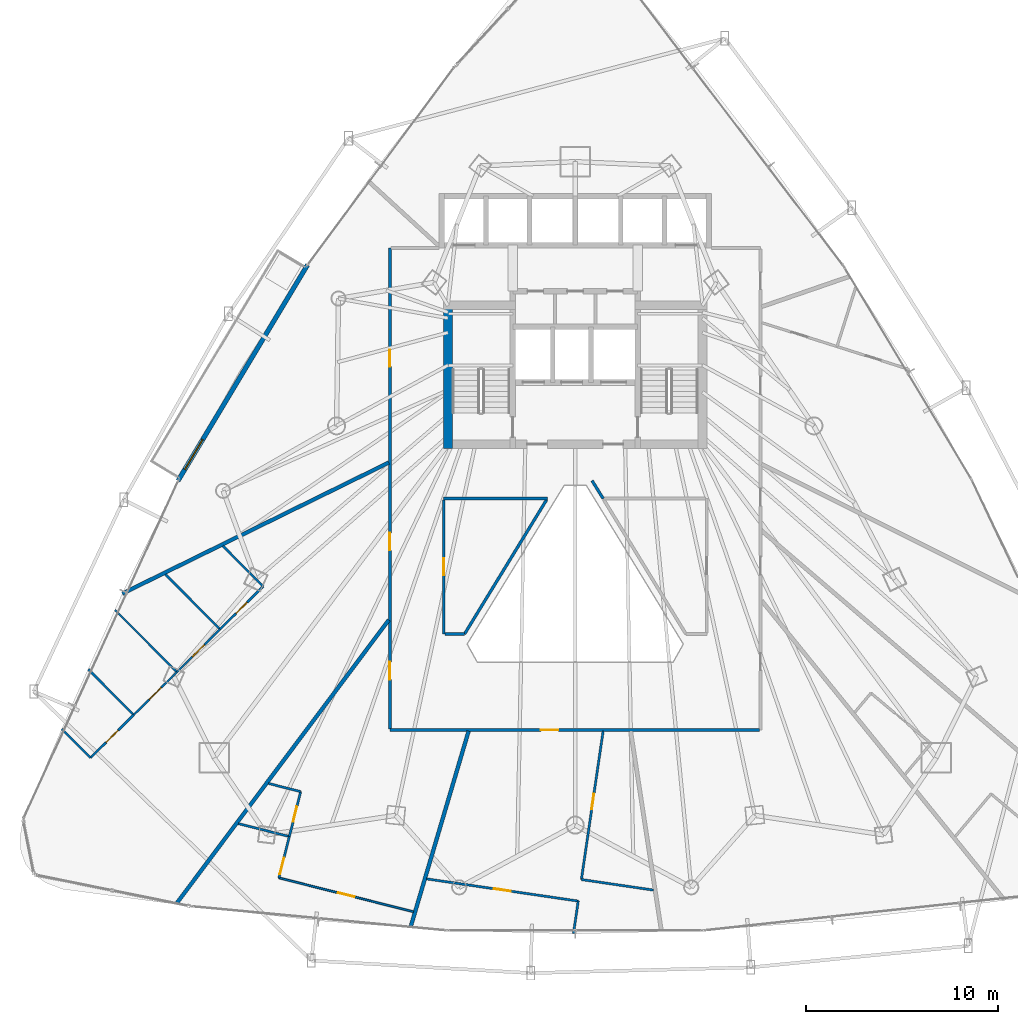
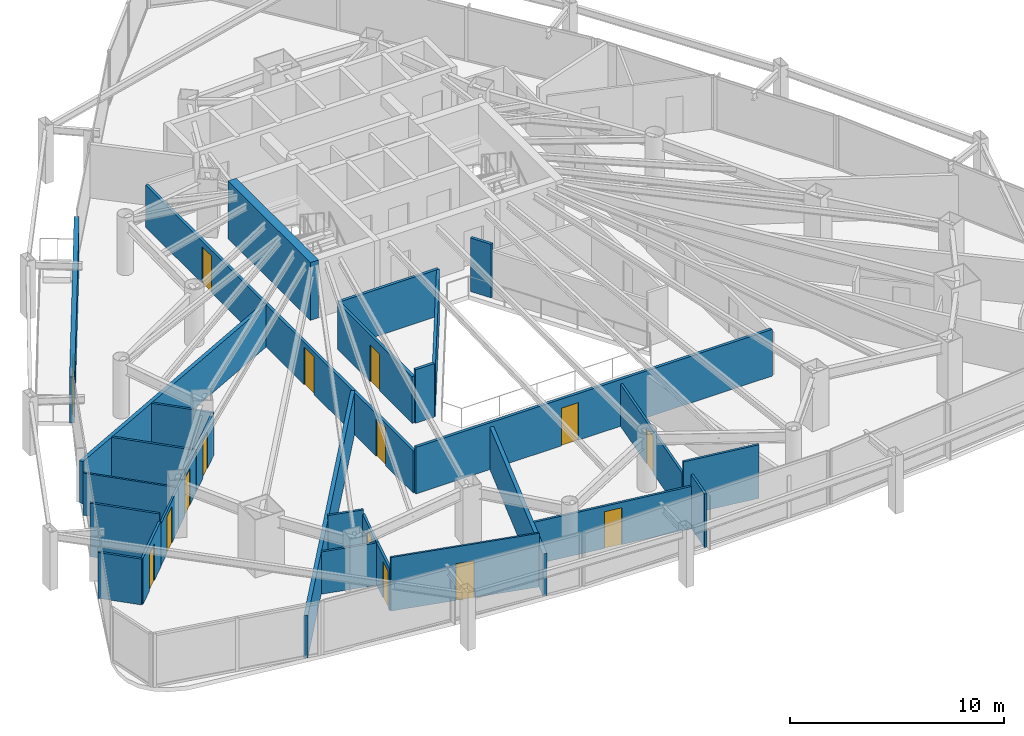
# One storey, part 29 of 35: 30 walls, 15 doors, 15 openings.
"""IFC4 building model written with IfcOpenShell, lengths in metres."""

from ifc_helpers import new_model, si_unit, direction, frame, frame_2d, origin, place, context, subcontext, project, spatial, rectangle, extrude, material, layer, layer_set, type_object, element, fill, save


model = new_model("IFC4")

# Units and contexts
model_context = context("Model", 3, precision=1e-05, world=origin(), true_north=direction((0.0, 1.0)))
body_context = subcontext(model_context, "Body", "Model", "MODEL_VIEW")
ifc_project = project(units=[si_unit("LENGTHUNIT", "METRE"), si_unit("AREAUNIT", "SQUARE_METRE"), si_unit("VOLUMEUNIT", "CUBIC_METRE"), si_unit("PLANEANGLEUNIT", "RADIAN"), si_unit("MASSUNIT", "GRAM", prefix="KILO")], contexts=[model_context])

# Site, building, storey
site_placement = place(None, origin())
site = spatial("IfcSite", under=ifc_project, at=site_placement, CompositionType="ELEMENT")
building_placement = place(site_placement, origin())
building = spatial("IfcBuilding", under=site, at=building_placement, Name="Orvanel Arch Residences", CompositionType="ELEMENT")
storey_placement = place(building_placement, frame((0.0, 0.0, 36.800048828125)))
storey = spatial("IfcBuildingStorey", under=building, at=storey_placement, Name="L09", CompositionType="ELEMENT", Elevation=36.800048828125)

# Wall, opening, door
ifc_material_1 = material(Name="Precast concrete N50 (50 MPa)", Category="concrete")
ifc_layer_1 = layer(ifc_material_1, 0.239990234375)
ifc_layer_set_1 = layer_set([ifc_layer_1], Name="Precast concrete N50 (50 MPa)")
wall_type_1 = type_object("IfcWallType", Name="EW-BAL-240", PredefinedType="SOLIDWALL", material=ifc_layer_set_1)
wall_1_placement = place(storey_placement, frame((19.05908203125, 36.028076171875, 0.0), z_axis=(0.0, 0.0, 1.0), x_axis=(-0.514331531946, -0.857591438417, 0.0)))
wall_1 = element("IfcWall", 1, at=wall_1_placement, inside=storey, type_object=wall_type_1, Name="L09 Balcony Threshold Wall Face 1", PredefinedType="SOLIDWALL", context=body_context, shape_type="SweptSolid", body=[
    extrude(rectangle(XDim=13.1181640625, YDim=0.239990234375, at=frame_2d((6.55908203125, 0.0))), origin(), (0.0, 0.0, 1.0), 2.6240234375),
])
opening_1_placement = place(wall_1_placement, frame((10.6201171875, 0.0, 0.0)))
opening_1 = element("IfcOpeningElement", 2, at=opening_1_placement, cuts=wall_1, Name="Opening DB-180", PredefinedType="OPENING", context=body_context, shape_type="SweptSolid", body=[
    extrude(rectangle(XDim=1.800048828125, YDim=2.199951171875, at=frame_2d((0.89990234375, 1.10009765625))), frame((0.0, 0.1298828125, 0.0), z_axis=(0.0, -1.0, 0.0), x_axis=(1.0, 0.0, 0.0)), (0.0, 0.0, 1.0), 0.260009765625),
])
ifc_material_2 = material(Name="Bronze-anodised aluminium AA6063-T6", Category="aluminium")
door_type_1 = type_object("IfcDoorType", Name="DR-BAL-1800", OperationType="NOTDEFINED", PredefinedType="DOOR", material=ifc_material_2)
door_1_placement = place(opening_1_placement, origin())
door_1 = element("IfcDoor", 3, at=door_1_placement, inside=storey, type_object=door_type_1, Name="DR-L09-BAL-F1 L09 Planted Balcony Access Door Face 1", OperationType="SINGLE_SWING_LEFT", OverallHeight=2.199951171875, OverallWidth=1.800048828125, PredefinedType="DOOR", context=body_context, shape_type="SweptSolid", body=[
    extrude(rectangle(XDim=1.800048828125, YDim=2.199951171875, at=frame_2d((0.89990234375, 1.10009765625))), frame((0.0, 0.02490234375, 0.0), z_axis=(0.0, -1.0, 0.0), x_axis=(1.0, 0.0, 0.0)), (0.0, 0.0, 1.0), 0.050048828125),
])
fill(opening_1, door_1)

# Wall
ifc_material_3 = material(Name="Concrete S80 (80 MPa)", Category="concrete")
ifc_layer_2 = layer(ifc_material_3, 0.449951171875)
ifc_layer_set_2 = layer_set([ifc_layer_2], Name="Concrete S80 (80 MPa)")
wall_type_2 = type_object("IfcWallType", Name="SW-CORE-450", PredefinedType="SHEAR", material=ifc_layer_set_2)
wall_2_placement = place(storey_placement, frame((26.375, 26.449951171875, 0.0), z_axis=(0.0, 0.0, 1.0), x_axis=(0.0, 1.0, 0.0)))
element("IfcWall", 4, at=wall_2_placement, inside=storey, type_object=wall_type_2, Name="L09 West Stair Shear Wall", PredefinedType="SHEAR", context=body_context, shape_type="SweptSolid", body=[
    extrude(rectangle(XDim=7.699951171875, YDim=0.449951171875, at=frame_2d((3.85009765625, 0.0))), origin(), (0.0, 0.0, 1.0), 3.300048828125),
])

# Wall, opening, door
ifc_material_4 = material(Name="Fire-rated plasterboard lined steel stud partition", Category="steel")
ifc_layer_3 = layer(ifc_material_4, 0.14990234375)
ifc_layer_set_3 = layer_set([ifc_layer_3], Name="Fire-rated plasterboard lined steel stud partition")
wall_type_3 = type_object("IfcWallType", Name="W-COR-150", PredefinedType="PARTITIONING", material=ifc_layer_set_3)
wall_3_placement = place(storey_placement, frame((42.590087890625, 11.800048828125, 0.0), z_axis=(0.0, 0.0, 1.0), x_axis=(-1.0, 0.0, 0.0)))
wall_3 = element("IfcWall", 5, at=wall_3_placement, inside=storey, type_object=wall_type_3, Name="L09 Corridor Fire-Rated Partition", PredefinedType="PARTITIONING", context=body_context, shape_type="SweptSolid", body=[
    extrude(rectangle(XDim=19.239990234375, YDim=0.14990234375, at=frame_2d((9.6201171875, 0.0))), origin(), (0.0, 0.0, 1.0), 2.6689453125),
])
opening_2_placement = place(wall_3_placement, frame((10.4619140625, 0.0, 0.0)))
opening_2 = element("IfcOpeningElement", 6, at=opening_2_placement, cuts=wall_3, Name="Opening DA-092", PredefinedType="OPENING", context=body_context, shape_type="SweptSolid", body=[
    extrude(rectangle(XDim=0.919921875, YDim=2.14990234375, at=frame_2d((0.4599609375, 1.074951171875))), frame((0.0, 0.0849609375, 0.0), z_axis=(0.0, -1.0, 0.0), x_axis=(1.0, 0.0, 0.0)), (0.0, 0.0, 1.0), 0.169921875),
])
ifc_material_5 = material(Name="Solid-core European oak veneer fire door leaf", Category="wood")
door_type_2 = type_object("IfcDoorType", Name="DR-APT-920", OperationType="NOTDEFINED", PredefinedType="DOOR", material=ifc_material_5)
door_2_placement = place(opening_2_placement, origin())
door_2 = element("IfcDoor", 7, at=door_2_placement, inside=storey, type_object=door_type_2, Name="DR-L09-F-ENT L09 Studio F Entrance Door", OperationType="SINGLE_SWING_LEFT", OverallHeight=2.14990234375, OverallWidth=0.919921875, PredefinedType="DOOR", context=body_context, shape_type="SweptSolid", body=[
    extrude(rectangle(XDim=0.919921875, YDim=2.14990234375, at=frame_2d((0.4599609375, 1.074951171875))), frame((0.0, 0.02490234375, 0.0), z_axis=(0.0, -1.0, 0.0), x_axis=(1.0, 0.0, 0.0)), (0.0, 0.0, 1.0), 0.050048828125),
])
fill(opening_2, door_2)

# Wall, openings, doors
wall_4_placement = place(storey_placement, frame((23.35009765625, 11.860107421875, 0.0), z_axis=(0.0, 0.0, 1.0), x_axis=(0.0, 1.0, 0.0)))
wall_4 = element("IfcWall", 8, at=wall_4_placement, inside=storey, type_object=wall_type_3, Name="L09 Corridor Fire-Rated Partition", PredefinedType="PARTITIONING", context=body_context, shape_type="SweptSolid", body=[
    extrude(rectangle(XDim=25.039794921875, YDim=0.14990234375, at=frame_2d((12.52001953125, 0.0))), origin(), (0.0, 0.0, 1.0), 2.412841796875),
])
opening_3_placement = place(wall_4_placement, frame((9.2900390625, 0.0, 0.0)))
opening_3 = element("IfcOpeningElement", 9, at=opening_3_placement, cuts=wall_4, Name="Opening DA-092", PredefinedType="OPENING", context=body_context, shape_type="SweptSolid", body=[
    extrude(rectangle(XDim=0.919921875, YDim=2.14990234375, at=frame_2d((0.4599609375, 1.074951171875))), frame((0.0, 0.0849609375, 0.0), z_axis=(0.0, -1.0, 0.0), x_axis=(1.0, 0.0, 0.0)), (0.0, 0.0, 1.0), 0.169921875),
])
opening_4_placement = place(wall_4_placement, frame((18.864990234375, 0.0, 0.0)))
opening_4 = element("IfcOpeningElement", 10, at=opening_4_placement, cuts=wall_4, Name="Opening DI-088", PredefinedType="OPENING", context=body_context, shape_type="SweptSolid", body=[
    extrude(rectangle(XDim=0.8798828125, YDim=2.10009765625, at=frame_2d((0.43994140625, 1.050048828125))), frame((0.0, 0.0849609375, 0.0), z_axis=(0.0, -1.0, 0.0), x_axis=(1.0, 0.0, 0.0)), (0.0, 0.0, 1.0), 0.169921875),
])
opening_5_placement = place(wall_4_placement, frame((2.56591796875, 0.0, 0.0)))
opening_5 = element("IfcOpeningElement", 11, at=opening_5_placement, cuts=wall_4, Name="Opening DA-092", PredefinedType="OPENING", context=body_context, shape_type="SweptSolid", body=[
    extrude(rectangle(XDim=0.919921875, YDim=2.14990234375, at=frame_2d((0.4599609375, 1.074951171875))), frame((0.0, 0.0849609375, 0.0), z_axis=(0.0, -1.0, 0.0), x_axis=(1.0, 0.0, 0.0)), (0.0, 0.0, 1.0), 0.169921875),
])
door_3_placement = place(opening_3_placement, origin())
door_3 = element("IfcDoor", 12, at=door_3_placement, inside=storey, type_object=door_type_2, Name="DR-L09-A-ENT L09 Flat A Entrance Door", OperationType="SINGLE_SWING_RIGHT", OverallHeight=2.14990234375, OverallWidth=0.919921875, PredefinedType="DOOR", context=body_context, shape_type="SweptSolid", body=[
    extrude(rectangle(XDim=0.919921875, YDim=2.14990234375, at=frame_2d((0.4599609375, 1.074951171875))), frame((0.0, 0.02490234375, 0.0), z_axis=(0.0, -1.0, 0.0), x_axis=(1.0, 0.0, 0.0)), (0.0, 0.0, 1.0), 0.050048828125),
])
fill(opening_3, door_3)
door_4_placement = place(opening_5_placement, origin())
door_4 = element("IfcDoor", 13, at=door_4_placement, inside=storey, type_object=door_type_2, Name="DR-L09-E-ENT L09 Flat E Entrance Door", OperationType="SINGLE_SWING_RIGHT", OverallHeight=2.14990234375, OverallWidth=0.919921875, PredefinedType="DOOR", context=body_context, shape_type="SweptSolid", body=[
    extrude(rectangle(XDim=0.919921875, YDim=2.14990234375, at=frame_2d((0.4599609375, 1.074951171875))), frame((0.0, 0.02490234375, 0.0), z_axis=(0.0, -1.0, 0.0), x_axis=(1.0, 0.0, 0.0)), (0.0, 0.0, 1.0), 0.050048828125),
])
fill(opening_5, door_4)
door_type_3 = type_object("IfcDoorType", Name="DR-INT-880", OperationType="NOTDEFINED", PredefinedType="DOOR", material=ifc_material_5)
door_5_placement = place(opening_4_placement, origin())
door_5 = element("IfcDoor", 14, at=door_5_placement, inside=storey, type_object=door_type_3, Name="DR-L09-SHRD-FB4 L09 Co-Working Study Office D Door", OperationType="SINGLE_SWING_LEFT", OverallHeight=2.10009765625, OverallWidth=0.8798828125, PredefinedType="DOOR", context=body_context, shape_type="SweptSolid", body=[
    extrude(rectangle(XDim=0.8798828125, YDim=2.10009765625, at=frame_2d((0.43994140625, 1.050048828125))), frame((0.0, 0.02490234375, 0.0), z_axis=(0.0, -1.0, 0.0), x_axis=(1.0, 0.0, 0.0)), (0.0, 0.0, 1.0), 0.050048828125),
])
fill(opening_4, door_5)

# Wall
wall_5_placement = place(storey_placement, frame((31.544921875, 23.85009765625, 0.0), z_axis=(0.0, 0.0, 1.0), x_axis=(-1.0, 0.0, 0.0)))
element("IfcWall", 15, at=wall_5_placement, inside=storey, type_object=wall_type_3, Name="L09 Corridor Fire-Rated Partition", PredefinedType="PARTITIONING", context=body_context, shape_type="SweptSolid", body=[
    extrude(rectangle(XDim=5.39501953125, YDim=0.14990234375, at=frame_2d((2.697509765625, 0.0))), origin(), (0.0, 0.0, 1.0), 2.6689453125),
])

# Wall, opening, door
wall_6_placement = place(storey_placement, frame((26.14990234375, 23.7900390625, 0.0), z_axis=(0.0, 0.0, 1.0), x_axis=(0.0, -1.0, 0.0)))
wall_6 = element("IfcWall", 16, at=wall_6_placement, inside=storey, type_object=wall_type_3, Name="L09 Corridor Fire-Rated Partition", PredefinedType="PARTITIONING", context=body_context, shape_type="SweptSolid", body=[
    extrude(rectangle(XDim=6.989990234375, YDim=0.14990234375, at=frame_2d((3.4951171875, 0.0))), origin(), (0.0, 0.0, 1.0), 2.6689453125),
])
opening_6_placement = place(wall_6_placement, frame((3.054931640625, 0.0, 0.0)))
opening_6 = element("IfcOpeningElement", 17, at=opening_6_placement, cuts=wall_6, Name="Opening DI-088", PredefinedType="OPENING", context=body_context, shape_type="SweptSolid", body=[
    extrude(rectangle(XDim=0.8798828125, YDim=2.10009765625, at=frame_2d((0.43994140625, 1.050048828125))), frame((0.0, 0.0849609375, 0.0), z_axis=(0.0, -1.0, 0.0), x_axis=(1.0, 0.0, 0.0)), (0.0, 0.0, 1.0), 0.169921875),
])
door_6_placement = place(opening_6_placement, origin())
door_6 = element("IfcDoor", 18, at=door_6_placement, inside=storey, type_object=door_type_3, Name="DR-L09-SHRD-FB10 L09 Co-Working Study Office J Door", OperationType="SINGLE_SWING_LEFT", OverallHeight=2.10009765625, OverallWidth=0.8798828125, PredefinedType="DOOR", context=body_context, shape_type="SweptSolid", body=[
    extrude(rectangle(XDim=0.8798828125, YDim=2.10009765625, at=frame_2d((0.43994140625, 1.050048828125))), frame((0.0, 0.02490234375, 0.0), z_axis=(0.0, -1.0, 0.0), x_axis=(1.0, 0.0, 0.0)), (0.0, 0.0, 1.0), 0.050048828125),
])
fill(opening_6, door_6)

# Walls
wall_7_placement = place(storey_placement, frame((26.2099609375, 16.800048828125, 0.0), z_axis=(0.0, 0.0, 1.0), x_axis=(1.0, 0.0, 0.0)))
element("IfcWall", 19, at=wall_7_placement, inside=storey, type_object=wall_type_3, Name="L09 Corridor Fire-Rated Partition", PredefinedType="PARTITIONING", context=body_context, shape_type="SweptSolid", body=[
    extrude(rectangle(XDim=1.026123046875, YDim=0.14990234375, at=frame_2d((0.51318359375, 0.0))), origin(), (0.0, 0.0, 1.0), 3.06005859375),
])
wall_8_placement = place(storey_placement, frame((34.455078125, 23.85009765625, 0.0), z_axis=(0.0, 0.0, 1.0), x_axis=(-0.525973516201, 0.850500946652, 0.0)))
element("IfcWall", 20, at=wall_8_placement, inside=storey, type_object=wall_type_3, Name="L09 Corridor Fire-Rated Partition", PredefinedType="PARTITIONING", context=body_context, shape_type="SweptSolid", body=[
    extrude(rectangle(XDim=1.102783203125, YDim=0.14990234375, at=frame_2d((0.55126953125, 0.0))), origin(), (0.0, 0.0, 1.0), 3.06005859375),
])
wall_9_placement = place(storey_placement, frame((27.236083984375, 16.801025390625, 0.0), z_axis=(0.0, 0.0, 1.0), x_axis=(0.521617567684, 0.853179414358, 0.0)))
element("IfcWall", 21, at=wall_9_placement, inside=storey, type_object=wall_type_3, Name="L09 Atrium Overlook Glazed Partition", PredefinedType="PARTITIONING", context=body_context, shape_type="SweptSolid", body=[
    extrude(rectangle(XDim=8.191650390625, YDim=0.14990234375, at=frame_2d((4.095703125, 0.0))), origin(), (0.0, 0.0, 1.0), 2.6689453125),
])
ifc_layer_4 = layer(ifc_material_4, 0.199951171875)
ifc_layer_set_4 = layer_set([ifc_layer_4], Name="Fire-rated plasterboard lined steel stud partition")
wall_type_4 = type_object("IfcWallType", Name="W-DEM-200", PredefinedType="PARTITIONING", material=ifc_layer_set_4)
wall_10_placement = place(storey_placement, frame((9.409912109375, 18.90087890625, 0.0), z_axis=(0.0, 0.0, 1.0), x_axis=(0.89737804177, 0.44126256373, 0.0)))
element("IfcWall", 22, at=wall_10_placement, inside=storey, type_object=wall_type_4, Name="L09 Inter-Tenancy Acoustic Demising Wall", PredefinedType="PARTITIONING", context=body_context, shape_type="SweptSolid", body=[
    extrude(rectangle(XDim=15.467529296875, YDim=0.199951171875, at=frame_2d((7.73388671875, 0.0))), origin(), (0.0, 0.0, 1.0), 2.412841796875),
])
wall_11_placement = place(storey_placement, frame((23.2900390625, 17.531005859375, 0.0), z_axis=(0.0, 0.0, 1.0), x_axis=(-0.599334217596, -0.800498904196, 0.0)))
element("IfcWall", 23, at=wall_11_placement, inside=storey, type_object=wall_type_4, Name="L09 Inter-Tenancy Acoustic Demising Wall", PredefinedType="PARTITIONING", context=body_context, shape_type="SweptSolid", body=[
    extrude(rectangle(XDim=18.4873046875, YDim=0.199951171875, at=frame_2d((9.24365234375, 0.0))), origin(), (0.0, 0.0, 1.0), 2.412841796875),
])
wall_12_placement = place(storey_placement, frame((27.447021484375, 11.739990234375, 0.0), z_axis=(0.0, 0.0, 1.0), x_axis=(-0.283867721737, -0.958863450422, 0.0)))
element("IfcWall", 24, at=wall_12_placement, inside=storey, type_object=wall_type_4, Name="L09 Inter-Tenancy Acoustic Demising Wall", PredefinedType="PARTITIONING", context=body_context, shape_type="SweptSolid", body=[
    extrude(rectangle(XDim=10.663818359375, YDim=0.199951171875, at=frame_2d((5.33203125, 0.0))), origin(), (0.0, 0.0, 1.0), 2.412841796875),
])

# Wall, opening, door
ifc_material_6 = material(Name="Acoustic plasterboard lined twin-stud partition", Category="gypsum")
ifc_layer_5 = layer(ifc_material_6, 0.10009765625)
ifc_layer_set_5 = layer_set([ifc_layer_5], Name="Acoustic plasterboard lined twin-stud partition")
wall_type_5 = type_object("IfcWallType", Name="W-INT-100", PredefinedType="PARTITIONING", material=ifc_layer_set_5)
wall_13_placement = place(storey_placement, frame((10.0009765625, 12.5810546875, 0.0), z_axis=(0.0, 0.0, 1.0), x_axis=(0.70979961262, 0.70440365553, 0.0)))
wall_13 = element("IfcWall", 25, at=wall_13_placement, inside=storey, type_object=wall_type_5, Name="L09 Flat A Internal Partition", PredefinedType="PARTITIONING", context=body_context, shape_type="SweptSolid", body=[
    extrude(rectangle(XDim=3.167236328125, YDim=0.10009765625, at=frame_2d((1.58349609375, 0.0))), origin(), (0.0, 0.0, 1.0), 2.412841796875),
])
opening_7_placement = place(wall_13_placement, frame((1.14404296875, 0.0, 0.0)))
opening_7 = element("IfcOpeningElement", 26, at=opening_7_placement, cuts=wall_13, Name="Opening DI-088", PredefinedType="OPENING", context=body_context, shape_type="SweptSolid", body=[
    extrude(rectangle(XDim=0.8798828125, YDim=2.10009765625, at=frame_2d((0.43994140625, 1.050048828125))), frame((0.0, 0.06005859375, 0.0), z_axis=(0.0, -1.0, 0.0), x_axis=(1.0, 0.0, 0.0)), (0.0, 0.0, 1.0), 0.1201171875),
])
door_7_placement = place(opening_7_placement, origin())
door_7 = element("IfcDoor", 27, at=door_7_placement, inside=storey, type_object=door_type_3, Name="DR-L09-A-BED1 L09 Flat A Bedroom 1 Door", OperationType="SINGLE_SWING_LEFT", OverallHeight=2.10009765625, OverallWidth=0.8798828125, PredefinedType="DOOR", context=body_context, shape_type="SweptSolid", body=[
    extrude(rectangle(XDim=0.8798828125, YDim=2.10009765625, at=frame_2d((0.43994140625, 1.050048828125))), frame((0.0, 0.02490234375, 0.0), z_axis=(0.0, -1.0, 0.0), x_axis=(1.0, 0.0, 0.0)), (0.0, 0.0, 1.0), 0.050048828125),
])
fill(opening_7, door_7)

wall_14_placement = place(storey_placement, frame((12.2490234375, 14.81201171875, 0.0), z_axis=(0.0, 0.0, 1.0), x_axis=(0.70979961262, 0.70440365553, 0.0)))
wall_14 = element("IfcWall", 28, at=wall_14_placement, inside=storey, type_object=wall_type_5, Name="L09 Flat A Internal Partition", PredefinedType="PARTITIONING", context=body_context, shape_type="SweptSolid", body=[
    extrude(rectangle(XDim=3.167236328125, YDim=0.10009765625, at=frame_2d((1.58349609375, 0.0))), origin(), (0.0, 0.0, 1.0), 2.412841796875),
])
opening_8_placement = place(wall_14_placement, frame((1.14404296875, 0.0, 0.0)))
opening_8 = element("IfcOpeningElement", 29, at=opening_8_placement, cuts=wall_14, Name="Opening DI-088", PredefinedType="OPENING", context=body_context, shape_type="SweptSolid", body=[
    extrude(rectangle(XDim=0.8798828125, YDim=2.10009765625, at=frame_2d((0.43994140625, 1.050048828125))), frame((0.0, 0.06005859375, 0.0), z_axis=(0.0, -1.0, 0.0), x_axis=(1.0, 0.0, 0.0)), (0.0, 0.0, 1.0), 0.1201171875),
])
door_8_placement = place(opening_8_placement, origin())
door_8 = element("IfcDoor", 30, at=door_8_placement, inside=storey, type_object=door_type_3, Name="DR-L09-A-OFC2 L09 Flat A Home Work Office 1 Door", OperationType="SINGLE_SWING_LEFT", OverallHeight=2.10009765625, OverallWidth=0.8798828125, PredefinedType="DOOR", context=body_context, shape_type="SweptSolid", body=[
    extrude(rectangle(XDim=0.8798828125, YDim=2.10009765625, at=frame_2d((0.43994140625, 1.050048828125))), frame((0.0, 0.02490234375, 0.0), z_axis=(0.0, -1.0, 0.0), x_axis=(1.0, 0.0, 0.0)), (0.0, 0.0, 1.0), 0.050048828125),
])
fill(opening_8, door_8)

# Wall
wall_15_placement = place(storey_placement, frame((9.032958984375, 18.052978515625, 0.0), z_axis=(0.0, 0.0, 1.0), x_axis=(0.704374497722, -0.709828547579, 0.0)))
element("IfcWall", 31, at=wall_15_placement, inside=storey, type_object=wall_type_5, Name="L09 Flat A Internal Partition", PredefinedType="PARTITIONING", context=body_context, shape_type="SweptSolid", body=[
    extrude(rectangle(XDim=4.56591796875, YDim=0.10009765625, at=frame_2d((2.282958984375, 0.0))), origin(), (0.0, 0.0, 1.0), 2.412841796875),
])

# Wall, opening, door
wall_16_placement = place(storey_placement, frame((24.573974609375, 2.333984375, 0.0), z_axis=(0.0, 0.0, 1.0), x_axis=(-0.9698235368, 0.243807931512, 0.0)))
wall_16 = element("IfcWall", 32, at=wall_16_placement, inside=storey, type_object=wall_type_5, Name="L09 Flat E Internal Partition", PredefinedType="PARTITIONING", context=body_context, shape_type="SweptSolid", body=[
    extrude(rectangle(XDim=7.222900390625, YDim=0.10009765625, at=frame_2d((3.611328125, 0.0))), origin(), (0.0, 0.0, 1.0), 3.06005859375),
])
opening_9_placement = place(wall_16_placement, frame((3.1708984375, 0.0, 0.0)))
opening_9 = element("IfcOpeningElement", 33, at=opening_9_placement, cuts=wall_16, Name="Opening DI-088", PredefinedType="OPENING", context=body_context, shape_type="SweptSolid", body=[
    extrude(rectangle(XDim=0.8798828125, YDim=2.10009765625, at=frame_2d((0.43994140625, 1.050048828125))), frame((0.0, 0.06005859375, 0.0), z_axis=(0.0, -1.0, 0.0), x_axis=(1.0, 0.0, 0.0)), (0.0, 0.0, 1.0), 0.1201171875),
])
door_9_placement = place(opening_9_placement, origin())
door_9 = element("IfcDoor", 34, at=door_9_placement, inside=storey, type_object=door_type_3, Name="DR-L09-E-BED1 L09 Flat E Bedroom 1 Door", OperationType="SINGLE_SWING_LEFT", OverallHeight=2.10009765625, OverallWidth=0.8798828125, PredefinedType="DOOR", context=body_context, shape_type="SweptSolid", body=[
    extrude(rectangle(XDim=0.8798828125, YDim=2.10009765625, at=frame_2d((0.43994140625, 1.050048828125))), frame((0.0, 0.02490234375, 0.0), z_axis=(0.0, -1.0, 0.0), x_axis=(1.0, 0.0, 0.0)), (0.0, 0.0, 1.0), 0.050048828125),
])
fill(opening_9, door_9)

ifc_layer_6 = layer(ifc_material_6, 0.1201171875)
ifc_layer_set_6 = layer_set([ifc_layer_6], Name="Acoustic plasterboard lined twin-stud partition")
wall_type_6 = type_object("IfcWallType", Name="W-WET-120", PredefinedType="PARTITIONING", material=ifc_layer_set_6)
wall_17_placement = place(storey_placement, frame((14.4970703125, 17.04296875, 0.0), z_axis=(0.0, 0.0, 1.0), x_axis=(0.709608291954, 0.704596389425, 0.0)))
wall_17 = element("IfcWall", 35, at=wall_17_placement, inside=storey, type_object=wall_type_6, Name="L09 Flat A Bathroom Partition", PredefinedType="PARTITIONING", context=body_context, shape_type="SweptSolid", body=[
    extrude(rectangle(XDim=3.166259765625, YDim=0.1201171875, at=frame_2d((1.5830078125, 0.0))), origin(), (0.0, 0.0, 1.0), 2.412841796875),
])
opening_10_placement = place(wall_17_placement, frame((1.173095703125, 0.0, 0.0)))
opening_10 = element("IfcOpeningElement", 36, at=opening_10_placement, cuts=wall_17, Name="Opening DW-082", PredefinedType="OPENING", context=body_context, shape_type="SweptSolid", body=[
    extrude(rectangle(XDim=0.820068359375, YDim=2.10009765625, at=frame_2d((0.41015625, 1.050048828125))), frame((0.0, 0.070068359375, 0.0), z_axis=(0.0, -1.0, 0.0), x_axis=(1.0, 0.0, 0.0)), (0.0, 0.0, 1.0), 0.14013671875),
])
door_type_4 = type_object("IfcDoorType", Name="DR-WET-820", OperationType="NOTDEFINED", PredefinedType="DOOR", material=ifc_material_5)
door_10_placement = place(opening_10_placement, origin())
door_10 = element("IfcDoor", 37, at=door_10_placement, inside=storey, type_object=door_type_4, Name="DR-L09-A-BATH L09 Flat A Bathroom Door", OperationType="SINGLE_SWING_RIGHT", OverallHeight=2.10009765625, OverallWidth=0.820068359375, PredefinedType="DOOR", context=body_context, shape_type="SweptSolid", body=[
    extrude(rectangle(XDim=0.820068359375, YDim=2.10009765625, at=frame_2d((0.41015625, 1.050048828125))), frame((0.0, 0.02490234375, 0.0), z_axis=(0.0, -1.0, 0.0), x_axis=(1.0, 0.0, 0.0)), (0.0, 0.0, 1.0), 0.050048828125),
])
fill(opening_10, door_10)

# Walls
wall_18_placement = place(storey_placement, frame((16.743896484375, 19.27392578125, 0.0), z_axis=(0.0, 0.0, 1.0), x_axis=(-0.704390177625, 0.709812987811, 0.0)))
element("IfcWall", 38, at=wall_18_placement, inside=storey, type_object=wall_type_6, Name="L09 Flat A Bathroom Partition", PredefinedType="PARTITIONING", context=body_context, shape_type="SweptSolid", body=[
    extrude(rectangle(XDim=2.971435546875, YDim=0.1201171875, at=frame_2d((1.48583984375, 0.0))), origin(), (0.0, 0.0, 1.0), 2.412841796875),
])
wall_19_placement = place(storey_placement, frame((6.264892578125, 11.84912109375, 0.0), z_axis=(0.0, 0.0, 1.0), x_axis=(0.7047325022, -0.709473114602, 0.0)))
element("IfcWall", 39, at=wall_19_placement, inside=storey, type_object=wall_type_6, Name="L09 Flat A Internal Partition", PredefinedType="PARTITIONING", context=body_context, shape_type="SweptSolid", body=[
    extrude(rectangle(XDim=2.111572265625, YDim=0.1201171875, at=frame_2d((1.0556640625, 0.0))), origin(), (0.0, 0.0, 1.0), 2.618896484375),
])

# Wall, opening, door
wall_20_placement = place(storey_placement, frame((7.7529296875, 10.35107421875, 0.0), z_axis=(0.0, 0.0, 1.0), x_axis=(0.709953794815, 0.704248258236, 0.0)))
wall_20 = element("IfcWall", 40, at=wall_20_placement, inside=storey, type_object=wall_type_6, Name="L09 Flat A Internal Partition", PredefinedType="PARTITIONING", context=body_context, shape_type="SweptSolid", body=[
    extrude(rectangle(XDim=3.16650390625, YDim=0.1201171875, at=frame_2d((1.583251953125, 0.0))), origin(), (0.0, 0.0, 1.0), 2.618896484375),
])
opening_11_placement = place(wall_20_placement, frame((1.14306640625, 0.0, 0.0)))
opening_11 = element("IfcOpeningElement", 41, at=opening_11_placement, cuts=wall_20, Name="Opening DI-088", PredefinedType="OPENING", context=body_context, shape_type="SweptSolid", body=[
    extrude(rectangle(XDim=0.8798828125, YDim=2.10009765625, at=frame_2d((0.43994140625, 1.050048828125))), frame((0.0, 0.070068359375, 0.0), z_axis=(0.0, -1.0, 0.0), x_axis=(1.0, 0.0, 0.0)), (0.0, 0.0, 1.0), 0.14013671875),
])
door_11_placement = place(opening_11_placement, origin())
door_11 = element("IfcDoor", 42, at=door_11_placement, inside=storey, type_object=door_type_3, Name="DR-L09-A-KIT L09 Flat A Kitchen Door", OperationType="SINGLE_SWING_LEFT", OverallHeight=2.10009765625, OverallWidth=0.8798828125, PredefinedType="DOOR", context=body_context, shape_type="SweptSolid", body=[
    extrude(rectangle(XDim=0.8798828125, YDim=2.10009765625, at=frame_2d((0.43994140625, 1.050048828125))), frame((0.0, 0.02490234375, 0.0), z_axis=(0.0, -1.0, 0.0), x_axis=(1.0, 0.0, 0.0)), (0.0, 0.0, 1.0), 0.050048828125),
])
fill(opening_11, door_11)

# Walls
wall_21_placement = place(storey_placement, frame((14.4970703125, 17.04296875, 0.0), z_axis=(0.0, 0.0, 1.0), x_axis=(-0.704380529073, 0.70982256252, 0.0)))
element("IfcWall", 43, at=wall_21_placement, inside=storey, type_object=wall_type_6, Name="L09 Flat A Bathroom Partition", PredefinedType="PARTITIONING", context=body_context, shape_type="SweptSolid", body=[
    extrude(rectangle(XDim=4.03759765625, YDim=0.1201171875, at=frame_2d((2.018798828125, 0.0))), origin(), (0.0, 0.0, 1.0), 2.412841796875),
])
wall_22_placement = place(storey_placement, frame((7.637939453125, 14.9619140625, 0.0), z_axis=(0.0, 0.0, 1.0), x_axis=(0.704445292194, -0.709758290058, 0.0)))
element("IfcWall", 44, at=wall_22_placement, inside=storey, type_object=wall_type_6, Name="L09 Flat A Internal Partition", PredefinedType="PARTITIONING", context=body_context, shape_type="SweptSolid", body=[
    extrude(rectangle(XDim=3.3544921875, YDim=0.1201171875, at=frame_2d((1.67724609375, 0.0))), origin(), (0.0, 0.0, 1.0), 3.06005859375),
])

# Wall, opening, door
wall_23_placement = place(storey_placement, frame((18.112060546875, 6.2529296875, 0.0), z_axis=(0.0, 0.0, 1.0), x_axis=(0.2437501366, 0.96983806427, 0.0)))
wall_23 = element("IfcWall", 45, at=wall_23_placement, inside=storey, type_object=wall_type_6, Name="L09 Flat E Bathroom Partition", PredefinedType="PARTITIONING", context=body_context, shape_type="SweptSolid", body=[
    extrude(rectangle(XDim=2.411865234375, YDim=0.1201171875, at=frame_2d((1.2060546875, 0.0))), origin(), (0.0, 0.0, 1.0), 2.412841796875),
])
opening_12_placement = place(wall_23_placement, frame((0.7958984375, 0.0, 0.0)))
opening_12 = element("IfcOpeningElement", 46, at=opening_12_placement, cuts=wall_23, Name="Opening DW-082", PredefinedType="OPENING", context=body_context, shape_type="SweptSolid", body=[
    extrude(rectangle(XDim=0.820068359375, YDim=2.10009765625, at=frame_2d((0.41015625, 1.050048828125))), frame((0.0, 0.070068359375, 0.0), z_axis=(0.0, -1.0, 0.0), x_axis=(1.0, 0.0, 0.0)), (0.0, 0.0, 1.0), 0.14013671875),
])
door_12_placement = place(opening_12_placement, origin())
door_12 = element("IfcDoor", 47, at=door_12_placement, inside=storey, type_object=door_type_4, Name="DR-L09-E-BATH L09 Flat E Bathroom Door", OperationType="SINGLE_SWING_RIGHT", OverallHeight=2.10009765625, OverallWidth=0.820068359375, PredefinedType="DOOR", context=body_context, shape_type="SweptSolid", body=[
    extrude(rectangle(XDim=0.820068359375, YDim=2.10009765625, at=frame_2d((0.41015625, 1.050048828125))), frame((0.0, 0.02490234375, 0.0), z_axis=(0.0, -1.0, 0.0), x_axis=(1.0, 0.0, 0.0)), (0.0, 0.0, 1.0), 0.050048828125),
])
fill(opening_12, door_12)

# Wall
wall_24_placement = place(storey_placement, frame((18.699951171875, 8.592041015625, 0.0), z_axis=(0.0, 0.0, 1.0), x_axis=(-0.969751613308, 0.244093851802, 0.0)))
element("IfcWall", 48, at=wall_24_placement, inside=storey, type_object=wall_type_6, Name="L09 Flat E Bathroom Partition", PredefinedType="PARTITIONING", context=body_context, shape_type="SweptSolid", body=[
    extrude(rectangle(XDim=1.732421875, YDim=0.1201171875, at=frame_2d((0.8662109375, 0.0))), origin(), (0.0, 0.0, 1.0), 2.6689453125),
])

# Wall, opening, door
wall_25_placement = place(storey_placement, frame((17.569091796875, 4.094970703125, 0.0), z_axis=(0.0, 0.0, 1.0), x_axis=(0.244006821807, 0.969773515266, 0.0)))
wall_25 = element("IfcWall", 49, at=wall_25_placement, inside=storey, type_object=wall_type_6, Name="L09 Flat E Internal Partition", PredefinedType="PARTITIONING", context=body_context, shape_type="SweptSolid", body=[
    extrude(rectangle(XDim=2.22509765625, YDim=0.1201171875, at=frame_2d((1.112548828125, 0.0))), origin(), (0.0, 0.0, 1.0), 2.412841796875),
])
opening_13_placement = place(wall_25_placement, frame((0.199951171875, 0.0, 0.0)))
opening_13 = element("IfcOpeningElement", 50, at=opening_13_placement, cuts=wall_25, Name="Opening DI-088", PredefinedType="OPENING", context=body_context, shape_type="SweptSolid", body=[
    extrude(rectangle(XDim=0.8798828125, YDim=2.10009765625, at=frame_2d((0.43994140625, 1.050048828125))), frame((0.0, 0.070068359375, 0.0), z_axis=(0.0, -1.0, 0.0), x_axis=(1.0, 0.0, 0.0)), (0.0, 0.0, 1.0), 0.14013671875),
])
door_13_placement = place(opening_13_placement, origin())
door_13 = element("IfcDoor", 51, at=door_13_placement, inside=storey, type_object=door_type_3, Name="DR-L09-E-KIT L09 Flat E Kitchen Door", OperationType="SINGLE_SWING_LEFT", OverallHeight=2.10009765625, OverallWidth=0.8798828125, PredefinedType="DOOR", context=body_context, shape_type="SweptSolid", body=[
    extrude(rectangle(XDim=0.8798828125, YDim=2.10009765625, at=frame_2d((0.43994140625, 1.050048828125))), frame((0.0, 0.02490234375, 0.0), z_axis=(0.0, -1.0, 0.0), x_axis=(1.0, 0.0, 0.0)), (0.0, 0.0, 1.0), 0.050048828125),
])
fill(opening_13, door_13)

# Wall
wall_26_placement = place(storey_placement, frame((18.112060546875, 6.2529296875, 0.0), z_axis=(0.0, 0.0, 1.0), x_axis=(-0.969869517874, 0.243624954178, 0.0)))
element("IfcWall", 52, at=wall_26_placement, inside=storey, type_object=wall_type_6, Name="L09 Flat E Bathroom Partition", PredefinedType="PARTITIONING", context=body_context, shape_type="SweptSolid", body=[
    extrude(rectangle(XDim=2.74169921875, YDim=0.1201171875, at=frame_2d((1.370849609375, 0.0))), origin(), (0.0, 0.0, 1.0), 2.412841796875),
])

# Wall, opening, door
wall_27_placement = place(storey_placement, frame((34.452880859375, 11.739990234375, 0.0), z_axis=(0.0, 0.0, 1.0), x_axis=(-0.14489470787, -0.989447079753, 0.0)))
wall_27 = element("IfcWall", 53, at=wall_27_placement, inside=storey, type_object=wall_type_6, Name="L09 Studio F Bathroom Partition", PredefinedType="PARTITIONING", context=body_context, shape_type="SweptSolid", body=[
    extrude(rectangle(XDim=7.8115234375, YDim=0.1201171875, at=frame_2d((3.90576171875, 0.0))), origin(), (0.0, 0.0, 1.0), 2.412841796875),
])
opening_14_placement = place(wall_27_placement, frame((3.297119140625, 0.0, 0.0)))
opening_14 = element("IfcOpeningElement", 54, at=opening_14_placement, cuts=wall_27, Name="Opening DW-082", PredefinedType="OPENING", context=body_context, shape_type="SweptSolid", body=[
    extrude(rectangle(XDim=0.820068359375, YDim=2.10009765625, at=frame_2d((0.41015625, 1.050048828125))), frame((0.0, 0.070068359375, 0.0), z_axis=(0.0, -1.0, 0.0), x_axis=(1.0, 0.0, 0.0)), (0.0, 0.0, 1.0), 0.14013671875),
])
door_14_placement = place(opening_14_placement, origin())
door_14 = element("IfcDoor", 55, at=door_14_placement, inside=storey, type_object=door_type_4, Name="DR-L09-F-BATH L09 Studio F Bathroom Door", OperationType="SINGLE_SWING_RIGHT", OverallHeight=2.10009765625, OverallWidth=0.820068359375, PredefinedType="DOOR", context=body_context, shape_type="SweptSolid", body=[
    extrude(rectangle(XDim=0.820068359375, YDim=2.10009765625, at=frame_2d((0.41015625, 1.050048828125))), frame((0.0, 0.02490234375, 0.0), z_axis=(0.0, -1.0, 0.0), x_axis=(1.0, 0.0, 0.0)), (0.0, 0.0, 1.0), 0.050048828125),
])
fill(opening_14, door_14)

# Walls
wall_28_placement = place(storey_placement, frame((33.321044921875, 4.010986328125, 0.0), z_axis=(0.0, 0.0, 1.0), x_axis=(0.98942932615, -0.145015890698, 0.0)))
element("IfcWall", 56, at=wall_28_placement, inside=storey, type_object=wall_type_6, Name="L09 Studio F Bathroom Partition", PredefinedType="PARTITIONING", context=body_context, shape_type="SweptSolid", body=[
    extrude(rectangle(XDim=3.79296875, YDim=0.1201171875, at=frame_2d((1.896484375, 0.0))), origin(), (0.0, 0.0, 1.0), 3.06005859375),
])
wall_29_placement = place(storey_placement, frame((32.907958984375, 1.196044921875, 0.0), z_axis=(0.0, 0.0, 1.0), x_axis=(0.144976360118, 0.98943511915, 0.0)))
element("IfcWall", 57, at=wall_29_placement, inside=storey, type_object=wall_type_6, Name="L09 Studio F Internal Partition", PredefinedType="PARTITIONING", context=body_context, shape_type="SweptSolid", body=[
    extrude(rectangle(XDim=1.7109375, YDim=0.1201171875, at=frame_2d((0.85546875, 0.0))), origin(), (0.0, 0.0, 1.0), 3.06005859375),
])

# Wall, opening, door
wall_30_placement = place(storey_placement, frame((33.156005859375, 2.888916015625, 0.0), z_axis=(0.0, 0.0, 1.0), x_axis=(-0.98943978436, 0.144944517406, 0.0)))
wall_30 = element("IfcWall", 58, at=wall_30_placement, inside=storey, type_object=wall_type_6, Name="L09 Studio F Internal Partition", PredefinedType="PARTITIONING", context=body_context, shape_type="SweptSolid", body=[
    extrude(rectangle(XDim=7.982177734375, YDim=0.1201171875, at=frame_2d((3.9912109375, 0.0))), origin(), (0.0, 0.0, 1.0), 2.412841796875),
])
opening_15_placement = place(wall_30_placement, frame((3.551025390625, 0.0, 0.0)))
opening_15 = element("IfcOpeningElement", 59, at=opening_15_placement, cuts=wall_30, Name="Opening DI-088", PredefinedType="OPENING", context=body_context, shape_type="SweptSolid", body=[
    extrude(rectangle(XDim=0.8798828125, YDim=2.10009765625, at=frame_2d((0.43994140625, 1.050048828125))), frame((0.0, 0.070068359375, 0.0), z_axis=(0.0, -1.0, 0.0), x_axis=(1.0, 0.0, 0.0)), (0.0, 0.0, 1.0), 0.14013671875),
])
door_15_placement = place(opening_15_placement, origin())
door_15 = element("IfcDoor", 60, at=door_15_placement, inside=storey, type_object=door_type_3, Name="DR-L09-F-KIT L09 Studio F Kitchenette Door", OperationType="SINGLE_SWING_LEFT", OverallHeight=2.10009765625, OverallWidth=0.8798828125, PredefinedType="DOOR", context=body_context, shape_type="SweptSolid", body=[
    extrude(rectangle(XDim=0.8798828125, YDim=2.10009765625, at=frame_2d((0.43994140625, 1.050048828125))), frame((0.0, 0.02490234375, 0.0), z_axis=(0.0, -1.0, 0.0), x_axis=(1.0, 0.0, 0.0)), (0.0, 0.0, 1.0), 0.050048828125),
])
fill(opening_15, door_15)

save(model, "model.ifc")
